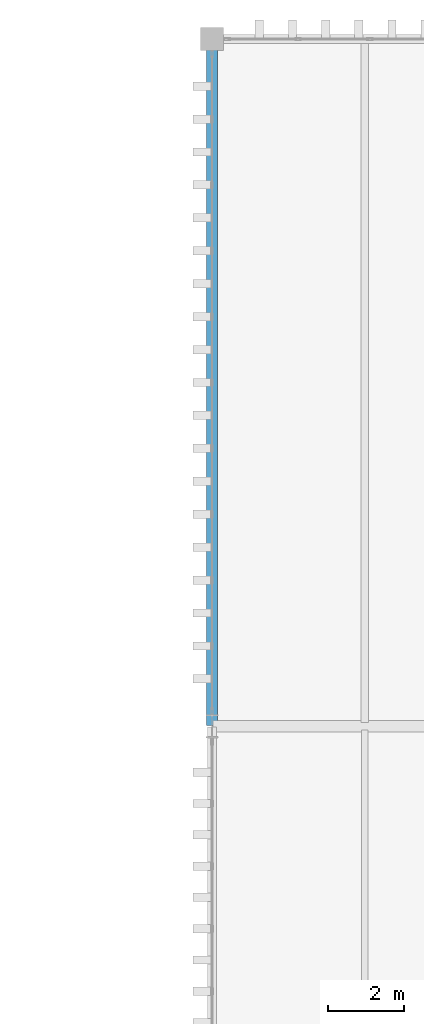
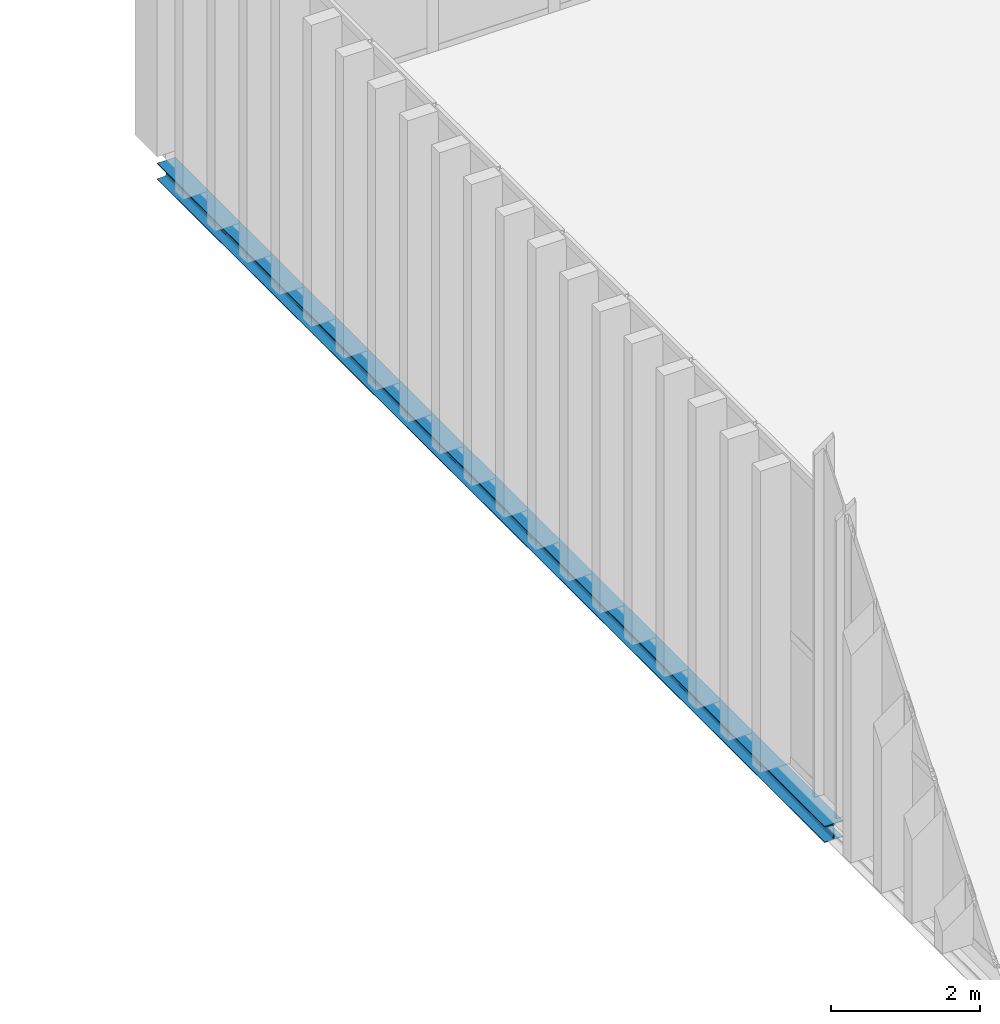
# One storey, part 124 of 211: 1 beam.
"""IFC4 building model written with IfcOpenShell, lengths in metres."""

import ifcopenshell
import ifcopenshell.guid

model = None  # the IFC model being written
_history = None  # IfcOwnerHistory: only IFC2X3 demands one
_inside = {}  # id of a spatial element -> (the spatial element, [elements in it])
_under = {}  # id of a project, library or spatial element -> (it, [spatial elements below it])
_declared = {}  # id of a project -> (the project, [libraries it declares])
_typed = {}  # id of a type object -> (the type object, [elements of that type])
_made_of = {}  # id of a material, layer set ... -> (it, [elements and type objects made of it])


def new_model(schema):
    """Start an empty IFC model of exactly this schema.

    Asked for "IFC4X3", IfcOpenShell would pick the latest addendum, in which some entities
    have other attributes; the version numbers below select the first issue.
    IFC2X3 requires an IfcOwnerHistory on every rooted entity: one is made here for all.
    """
    global model, _history
    if schema == "IFC4X3":
        model = ifcopenshell.file(schema_version=(4, 3, 0, 0))
    else:
        model = ifcopenshell.file(schema=schema)
    _inside.clear()
    _under.clear()
    _declared.clear()
    _typed.clear()
    _made_of.clear()
    _history = None
    if model.schema == "IFC2X3":
        org = make("IfcOrganization", Name="unknown")
        user = make(
            "IfcPersonAndOrganization",
            ThePerson=make("IfcPerson", FamilyName="unknown"),
            TheOrganization=org,
        )
        app = make(
            "IfcApplication",
            ApplicationDeveloper=org,
            Version="unknown",
            ApplicationFullName="unknown",
            ApplicationIdentifier="unknown",
        )
        _history = make(
            "IfcOwnerHistory",
            OwningUser=user,
            OwningApplication=app,
            ChangeAction="ADDED",
            CreationDate=0,
        )
    return model


def make(cls, **values):
    """One entity of the class cls with the attributes given. An attribute that is None is left unset."""
    return model.create_entity(
        cls, **{name: value for name, value in values.items() if value is not None}
    )


def rooted(cls, **values):
    """An entity with a GlobalId (a new one), such as an element, a storey or a relation."""
    return make(cls, GlobalId=ifcopenshell.guid.new(), OwnerHistory=_history, **values)


def si_unit(unit_type, name, prefix=None):
    """IfcSIUnit, for example si_unit("LENGTHUNIT", "METRE", prefix="MILLI")."""
    return make("IfcSIUnit", UnitType=unit_type, Prefix=prefix, Name=name)


def assignment(units):
    """IfcUnitAssignment: the units of a project."""
    return None if units is None else make("IfcUnitAssignment", Units=units)


def point(xyz):
    """IfcCartesianPoint."""
    return None if xyz is None else make("IfcCartesianPoint", Coordinates=xyz)


def direction(xyz):
    """IfcDirection."""
    return None if xyz is None else make("IfcDirection", DirectionRatios=xyz)


def frame(location, z_axis=None, x_axis=None):
    """IfcAxis2Placement3D, a coordinate frame: its origin and axes. An axis left out is left unset."""
    return make(
        "IfcAxis2Placement3D",
        Location=point(location),
        Axis=direction(z_axis),
        RefDirection=direction(x_axis),
    )


def frame_2d(location, x_axis=None):
    """IfcAxis2Placement2D, a coordinate frame in the plane: its origin and x axis."""
    return make(
        "IfcAxis2Placement2D", Location=point(location), RefDirection=direction(x_axis)
    )


def origin():
    """The frame at (0, 0, 0) with its axes left unset."""
    return frame((0.0, 0.0, 0.0))


def origin_2d():
    """The frame at (0, 0) in the plane with its x axis left unset."""
    return frame_2d((0.0, 0.0))


def place(relative_to, where):
    """IfcLocalPlacement: puts the frame where relative to a parent placement (None: the world)."""
    return make(
        "IfcLocalPlacement", PlacementRelTo=relative_to, RelativePlacement=where
    )


def context(
    kind, dimensions, precision=None, world=None, true_north=None, identifier=None
):
    """IfcGeometricRepresentationContext, for example the 3D "Model" context."""
    return make(
        "IfcGeometricRepresentationContext",
        ContextIdentifier=identifier,
        ContextType=kind,
        CoordinateSpaceDimension=dimensions,
        Precision=precision,
        WorldCoordinateSystem=world,
        TrueNorth=true_north,
    )


def subcontext(parent, identifier, kind, view, scale=None):
    """IfcGeometricRepresentationSubContext, for example "Body" below "Model"."""
    return make(
        "IfcGeometricRepresentationSubContext",
        ContextIdentifier=identifier,
        ContextType=kind,
        ParentContext=parent,
        TargetScale=scale,
        TargetView=view,
    )


def project(units=None, contexts=None):
    """IfcProject with its units and contexts."""
    return rooted(
        "IfcProject",
        Name="project",
        RepresentationContexts=contexts,
        UnitsInContext=assignment(units),
    )


def spatial(cls, under=None, at=None, **own):
    """A site, building, storey or space (cls), placed at a placement, below another one or the project."""
    s = rooted(cls, ObjectPlacement=at, **own)
    if under is not None:
        _under.setdefault(under.id(), (under, []))[1].append(s)
    return s


def profile(cls, at=None, kind="AREA", **sizes):
    """A parametric profile (cls). Its sizes go by their IFC names, for example OverallWidth=200.0."""
    return make(cls, ProfileType=kind, Position=at, **sizes)


def i_section(**sizes):
    """IfcIShapeProfileDef."""
    return profile("IfcIShapeProfileDef", **sizes)


def extrude(swept, where, along, depth):
    """IfcExtrudedAreaSolid: the profile swept, set in the frame where, extruded along a direction by depth."""
    return make(
        "IfcExtrudedAreaSolid",
        SweptArea=swept,
        Position=where,
        ExtrudedDirection=direction(along),
        Depth=depth,
    )


def shape(context_of_items, identifier, shape_type, items):
    """IfcShapeRepresentation: the items that make up one representation, for example the "Body"."""
    return make(
        "IfcShapeRepresentation",
        ContextOfItems=context_of_items,
        RepresentationIdentifier=identifier,
        RepresentationType=shape_type,
        Items=items,
    )


def material(Name=None, Category=None):
    """IfcMaterial."""
    return make("IfcMaterial", Name=Name, Category=Category)


def material_profile(
    of_material, cross_section, Name=None, Category=None, Priority=None
):
    """IfcMaterialProfile: a cross section and its material."""
    return make(
        "IfcMaterialProfile",
        Name=Name,
        Material=of_material,
        Profile=cross_section,
        Priority=Priority,
        Category=Category,
    )


def profile_set(profiles, Name=None, composite=None):
    """IfcMaterialProfileSet."""
    return make(
        "IfcMaterialProfileSet",
        Name=Name,
        MaterialProfiles=profiles,
        CompositeProfile=composite,
    )


def made_of(thing, what):
    """Note that an element or type object is made of a material, layer set ...; save() writes the relation."""
    if what is not None:
        _made_of.setdefault(what.id(), (what, []))[1].append(thing)
    return thing


def type_object(cls, material=None, **own):
    """A type object (cls), such as IfcWallType, which elements share."""
    return made_of(rooted(cls, **own), material)


def element(
    cls,
    number,
    at=None,
    inside=None,
    cuts=None,
    type_object=None,
    material=None,
    context=None,
    identifier="Body",
    shape_type=None,
    held_by="IfcProductDefinitionShape",
    body=None,
    shapes=None,
    **own,
):
    """One element of the class cls, such as IfcWall. Its Tag is "e" and its number.

    at: its placement. inside: the storey or other place that contains it. cuts: it is an
    opening in that element (IfcRelVoidsElement). A single representation is given by context,
    identifier, shape_type and body (its items); several are given by shapes. held_by: the class
    of the entity that holds the representations. save() writes the other relations.
    """
    e = rooted(cls, Tag="e%d" % number, ObjectPlacement=at, **own)
    if body is not None:
        shapes = [shape(context, identifier, shape_type, body)]
    if shapes is not None:
        e.Representation = make(held_by, Representations=shapes)
    if inside is not None:
        _inside.setdefault(inside.id(), (inside, []))[1].append(e)
    if cuts is not None:
        rooted(
            "IfcRelVoidsElement", RelatingBuildingElement=cuts, RelatedOpeningElement=e
        )
    if type_object is not None:
        _typed.setdefault(type_object.id(), (type_object, []))[1].append(e)
    return made_of(e, material)


def aggregate(whole, parts):
    """IfcRelAggregates: a whole, such as a stair, and the parts it consists of."""
    return rooted("IfcRelAggregates", RelatingObject=whole, RelatedObjects=parts)


def save(model, path):
    """Write the relations noted so far, then the file.

    IfcRelAggregates (storeys below a building ...), IfcRelContainedInSpatialStructure (elements
    in a storey), IfcRelDefinesByType, IfcRelAssociatesMaterial and IfcRelDeclares: one each for
    every whole, place, type object, material and project.
    """
    for whole, parts in _under.values():
        aggregate(whole, parts)
    for where, things in _inside.values():
        rooted(
            "IfcRelContainedInSpatialStructure",
            RelatedElements=things,
            RelatingStructure=where,
        )
    for kind, things in _typed.values():
        rooted("IfcRelDefinesByType", RelatedObjects=things, RelatingType=kind)
    for what, things in _made_of.values():
        rooted("IfcRelAssociatesMaterial", RelatedObjects=things, RelatingMaterial=what)
    for by, libraries in _declared.values():
        rooted("IfcRelDeclares", RelatingContext=by, RelatedDefinitions=libraries)
    model.write(path)


model = new_model("IFC4")

# Units and contexts
model_context = context("Model", 3, precision=1e-05, world=origin(), true_north=direction((0.0, 1.0)))
body_context = subcontext(model_context, "Body", "Model", "MODEL_VIEW")
ifc_project = project(units=[si_unit("LENGTHUNIT", "METRE"), si_unit("AREAUNIT", "SQUARE_METRE"), si_unit("VOLUMEUNIT", "CUBIC_METRE"), si_unit("PLANEANGLEUNIT", "RADIAN"), si_unit("MASSUNIT", "GRAM", prefix="KILO")], contexts=[model_context])

# Site, building, storey
site_placement = place(None, origin())
site = spatial("IfcSite", under=ifc_project, at=site_placement, CompositionType="ELEMENT")
building_placement = place(site_placement, origin())
building = spatial("IfcBuilding", under=site, at=building_placement, Name="Barlavento Convention Centre", CompositionType="ELEMENT")
storey_placement = place(building_placement, frame((0.0, 0.0, 6.0)))
storey = spatial("IfcBuildingStorey", under=building, at=storey_placement, Name="L01", CompositionType="ELEMENT", Elevation=6.0)

# Beam
ifc_material = material(Name="Steel S355", Category="steel")
ifc_material_profile = material_profile(ifc_material, i_section(OverallWidth=0.280029296875, OverallDepth=0.27001953125, WebThickness=0.008056640625, FlangeThickness=0.012939453125, FilletRadius=0.02392578125, at=origin_2d()), Name="HEA 280")
ifc_profile_set = profile_set([ifc_material_profile], Name="Steel S355")
beam_type = type_object("IfcBeamType", Name="STR-BM-SPN-HEA280", PredefinedType="SPANDREL", material=ifc_profile_set)
beam_placement = place(storey_placement, frame((180.0, 117.02001953125, -0.465087890625), z_axis=(0.0, 1.0, 0.0), x_axis=(-1.0, 0.0, 0.0)))
element("IfcBeam", 1, at=beam_placement, inside=storey, type_object=beam_type, Name="L01 grid girder SP03", PredefinedType="SPANDREL", context=body_context, shape_type="SweptSolid", body=[
    extrude(i_section(OverallWidth=0.280029296875, OverallDepth=0.27001953125, WebThickness=0.008056640625, FlangeThickness=0.012939453125, FilletRadius=0.02392578125, at=origin_2d()), origin(), (0.0, 0.0, 1.0), 17.9599609375),
])

save(model, "model.ifc")
